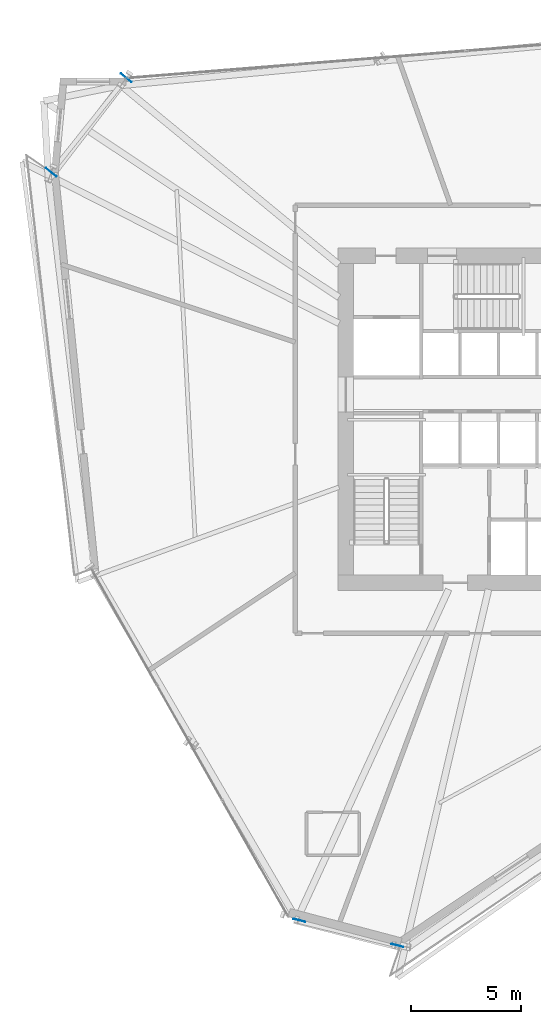
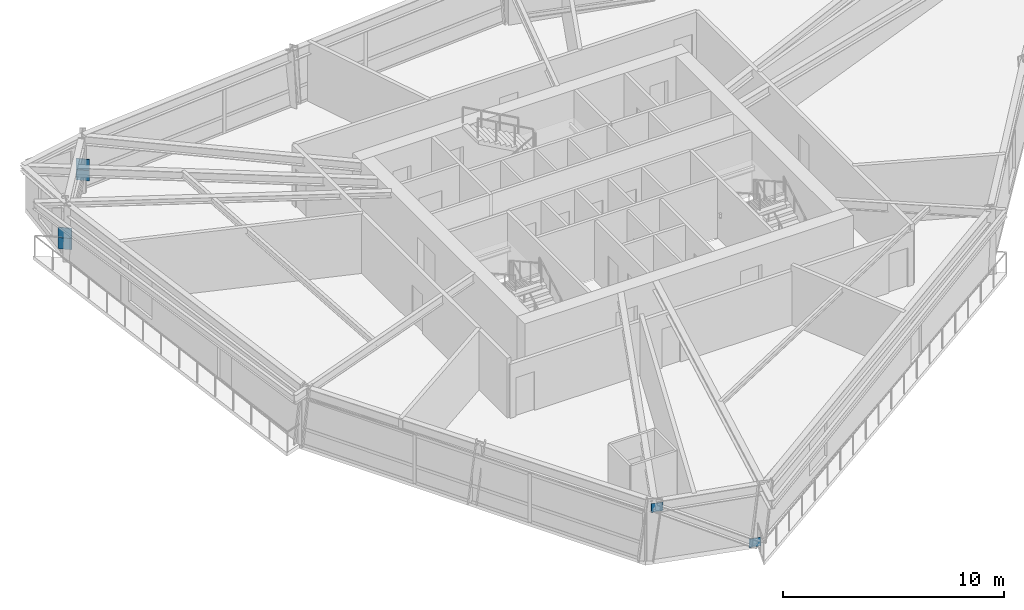
# One storey, part 10 of 18: 6 plates.
"""IFC4 building model written with IfcOpenShell, lengths in metres."""

import ifcopenshell
import ifcopenshell.guid

model = None  # the IFC model being written
_history = None  # IfcOwnerHistory: only IFC2X3 demands one
_inside = {}  # id of a spatial element -> (the spatial element, [elements in it])
_under = {}  # id of a project, library or spatial element -> (it, [spatial elements below it])
_declared = {}  # id of a project -> (the project, [libraries it declares])
_typed = {}  # id of a type object -> (the type object, [elements of that type])
_made_of = {}  # id of a material, layer set ... -> (it, [elements and type objects made of it])


def new_model(schema):
    """Start an empty IFC model of exactly this schema.

    Asked for "IFC4X3", IfcOpenShell would pick the latest addendum, in which some entities
    have other attributes; the version numbers below select the first issue.
    IFC2X3 requires an IfcOwnerHistory on every rooted entity: one is made here for all.
    """
    global model, _history
    if schema == "IFC4X3":
        model = ifcopenshell.file(schema_version=(4, 3, 0, 0))
    else:
        model = ifcopenshell.file(schema=schema)
    _inside.clear()
    _under.clear()
    _declared.clear()
    _typed.clear()
    _made_of.clear()
    _history = None
    if model.schema == "IFC2X3":
        org = make("IfcOrganization", Name="unknown")
        user = make(
            "IfcPersonAndOrganization",
            ThePerson=make("IfcPerson", FamilyName="unknown"),
            TheOrganization=org,
        )
        app = make(
            "IfcApplication",
            ApplicationDeveloper=org,
            Version="unknown",
            ApplicationFullName="unknown",
            ApplicationIdentifier="unknown",
        )
        _history = make(
            "IfcOwnerHistory",
            OwningUser=user,
            OwningApplication=app,
            ChangeAction="ADDED",
            CreationDate=0,
        )
    return model


def make(cls, **values):
    """One entity of the class cls with the attributes given. An attribute that is None is left unset."""
    return model.create_entity(
        cls, **{name: value for name, value in values.items() if value is not None}
    )


def rooted(cls, **values):
    """An entity with a GlobalId (a new one), such as an element, a storey or a relation."""
    return make(cls, GlobalId=ifcopenshell.guid.new(), OwnerHistory=_history, **values)


def si_unit(unit_type, name, prefix=None):
    """IfcSIUnit, for example si_unit("LENGTHUNIT", "METRE", prefix="MILLI")."""
    return make("IfcSIUnit", UnitType=unit_type, Prefix=prefix, Name=name)


def assignment(units):
    """IfcUnitAssignment: the units of a project."""
    return None if units is None else make("IfcUnitAssignment", Units=units)


def point(xyz):
    """IfcCartesianPoint."""
    return None if xyz is None else make("IfcCartesianPoint", Coordinates=xyz)


def direction(xyz):
    """IfcDirection."""
    return None if xyz is None else make("IfcDirection", DirectionRatios=xyz)


def frame(location, z_axis=None, x_axis=None):
    """IfcAxis2Placement3D, a coordinate frame: its origin and axes. An axis left out is left unset."""
    return make(
        "IfcAxis2Placement3D",
        Location=point(location),
        Axis=direction(z_axis),
        RefDirection=direction(x_axis),
    )


def frame_2d(location, x_axis=None):
    """IfcAxis2Placement2D, a coordinate frame in the plane: its origin and x axis."""
    return make(
        "IfcAxis2Placement2D", Location=point(location), RefDirection=direction(x_axis)
    )


def origin():
    """The frame at (0, 0, 0) with its axes left unset."""
    return frame((0.0, 0.0, 0.0))


def origin_2d():
    """The frame at (0, 0) in the plane with its x axis left unset."""
    return frame_2d((0.0, 0.0))


def place(relative_to, where):
    """IfcLocalPlacement: puts the frame where relative to a parent placement (None: the world)."""
    return make(
        "IfcLocalPlacement", PlacementRelTo=relative_to, RelativePlacement=where
    )


def context(
    kind, dimensions, precision=None, world=None, true_north=None, identifier=None
):
    """IfcGeometricRepresentationContext, for example the 3D "Model" context."""
    return make(
        "IfcGeometricRepresentationContext",
        ContextIdentifier=identifier,
        ContextType=kind,
        CoordinateSpaceDimension=dimensions,
        Precision=precision,
        WorldCoordinateSystem=world,
        TrueNorth=true_north,
    )


def subcontext(parent, identifier, kind, view, scale=None):
    """IfcGeometricRepresentationSubContext, for example "Body" below "Model"."""
    return make(
        "IfcGeometricRepresentationSubContext",
        ContextIdentifier=identifier,
        ContextType=kind,
        ParentContext=parent,
        TargetScale=scale,
        TargetView=view,
    )


def project(units=None, contexts=None):
    """IfcProject with its units and contexts."""
    return rooted(
        "IfcProject",
        Name="project",
        RepresentationContexts=contexts,
        UnitsInContext=assignment(units),
    )


def spatial(cls, under=None, at=None, **own):
    """A site, building, storey or space (cls), placed at a placement, below another one or the project."""
    s = rooted(cls, ObjectPlacement=at, **own)
    if under is not None:
        _under.setdefault(under.id(), (under, []))[1].append(s)
    return s


def profile(cls, at=None, kind="AREA", **sizes):
    """A parametric profile (cls). Its sizes go by their IFC names, for example OverallWidth=200.0."""
    return make(cls, ProfileType=kind, Position=at, **sizes)


def rectangle(**sizes):
    """IfcRectangleProfileDef."""
    return profile("IfcRectangleProfileDef", **sizes)


def extrude(swept, where, along, depth):
    """IfcExtrudedAreaSolid: the profile swept, set in the frame where, extruded along a direction by depth."""
    return make(
        "IfcExtrudedAreaSolid",
        SweptArea=swept,
        Position=where,
        ExtrudedDirection=direction(along),
        Depth=depth,
    )


def shape(context_of_items, identifier, shape_type, items):
    """IfcShapeRepresentation: the items that make up one representation, for example the "Body"."""
    return make(
        "IfcShapeRepresentation",
        ContextOfItems=context_of_items,
        RepresentationIdentifier=identifier,
        RepresentationType=shape_type,
        Items=items,
    )


def source(mapping_origin, context_of_items, identifier, shape_type, items):
    """IfcRepresentationMap: a shape defined once, which mapped items show again and again."""
    return make(
        "IfcRepresentationMap",
        MappingOrigin=mapping_origin,
        MappedRepresentation=shape(context_of_items, identifier, shape_type, items),
    )


def transform(
    local_origin,
    x_axis=None,
    y_axis=None,
    z_axis=None,
    scale=None,
    scale2=None,
    scale3=None,
    uniform=True,
):
    """IfcCartesianTransformationOperator3D, or its non-uniform kind. x_axis, y_axis, z_axis: its Axis1, 2, 3."""
    if uniform:
        return make(
            "IfcCartesianTransformationOperator3D",
            Axis1=direction(x_axis),
            Axis2=direction(y_axis),
            LocalOrigin=point(local_origin),
            Scale=scale,
            Axis3=direction(z_axis),
        )
    return make(
        "IfcCartesianTransformationOperator3DnonUniform",
        Axis1=direction(x_axis),
        Axis2=direction(y_axis),
        LocalOrigin=point(local_origin),
        Scale=scale,
        Axis3=direction(z_axis),
        Scale2=scale2,
        Scale3=scale3,
    )


def mapped(mapping_source, mapping_target):
    """IfcMappedItem: shows the shape of a source again, moved by a transform."""
    return make(
        "IfcMappedItem", MappingSource=mapping_source, MappingTarget=mapping_target
    )


def material(Name=None, Category=None):
    """IfcMaterial."""
    return make("IfcMaterial", Name=Name, Category=Category)


def made_of(thing, what):
    """Note that an element or type object is made of a material, layer set ...; save() writes the relation."""
    if what is not None:
        _made_of.setdefault(what.id(), (what, []))[1].append(thing)
    return thing


def type_object(cls, material=None, **own):
    """A type object (cls), such as IfcWallType, which elements share."""
    return made_of(rooted(cls, **own), material)


def element(
    cls,
    number,
    at=None,
    inside=None,
    cuts=None,
    type_object=None,
    material=None,
    context=None,
    identifier="Body",
    shape_type=None,
    held_by="IfcProductDefinitionShape",
    body=None,
    shapes=None,
    **own,
):
    """One element of the class cls, such as IfcWall. Its Tag is "e" and its number.

    at: its placement. inside: the storey or other place that contains it. cuts: it is an
    opening in that element (IfcRelVoidsElement). A single representation is given by context,
    identifier, shape_type and body (its items); several are given by shapes. held_by: the class
    of the entity that holds the representations. save() writes the other relations.
    """
    e = rooted(cls, Tag="e%d" % number, ObjectPlacement=at, **own)
    if body is not None:
        shapes = [shape(context, identifier, shape_type, body)]
    if shapes is not None:
        e.Representation = make(held_by, Representations=shapes)
    if inside is not None:
        _inside.setdefault(inside.id(), (inside, []))[1].append(e)
    if cuts is not None:
        rooted(
            "IfcRelVoidsElement", RelatingBuildingElement=cuts, RelatedOpeningElement=e
        )
    if type_object is not None:
        _typed.setdefault(type_object.id(), (type_object, []))[1].append(e)
    return made_of(e, material)


def aggregate(whole, parts):
    """IfcRelAggregates: a whole, such as a stair, and the parts it consists of."""
    return rooted("IfcRelAggregates", RelatingObject=whole, RelatedObjects=parts)


def save(model, path):
    """Write the relations noted so far, then the file.

    IfcRelAggregates (storeys below a building ...), IfcRelContainedInSpatialStructure (elements
    in a storey), IfcRelDefinesByType, IfcRelAssociatesMaterial and IfcRelDeclares: one each for
    every whole, place, type object, material and project.
    """
    for whole, parts in _under.values():
        aggregate(whole, parts)
    for where, things in _inside.values():
        rooted(
            "IfcRelContainedInSpatialStructure",
            RelatedElements=things,
            RelatingStructure=where,
        )
    for kind, things in _typed.values():
        rooted("IfcRelDefinesByType", RelatedObjects=things, RelatingType=kind)
    for what, things in _made_of.values():
        rooted("IfcRelAssociatesMaterial", RelatedObjects=things, RelatingMaterial=what)
    for by, libraries in _declared.values():
        rooted("IfcRelDeclares", RelatingContext=by, RelatedDefinitions=libraries)
    model.write(path)


model = new_model("IFC4")

# Units and contexts
model_context = context("Model", 3, precision=1e-05, world=origin(), true_north=direction((0.0, 1.0)))
body_context = subcontext(model_context, "Body", "Model", "MODEL_VIEW")
ifc_project = project(units=[si_unit("LENGTHUNIT", "METRE"), si_unit("AREAUNIT", "SQUARE_METRE"), si_unit("VOLUMEUNIT", "CUBIC_METRE"), si_unit("PLANEANGLEUNIT", "RADIAN"), si_unit("MASSUNIT", "GRAM", prefix="KILO")], contexts=[model_context])

# Site, building, storey
site_placement = place(None, origin())
site = spatial("IfcSite", under=ifc_project, at=site_placement, CompositionType="ELEMENT")
building_placement = place(site_placement, origin())
building = spatial("IfcBuilding", under=site, at=building_placement, Name="Olszyna Solenne Hotel", CompositionType="ELEMENT")
storey_placement = place(building_placement, frame((0.0, 0.0, 112.800048828125)))
storey = spatial("IfcBuildingStorey", under=building, at=storey_placement, Name="L29", CompositionType="ELEMENT", Elevation=112.800048828125)

# Plates
ifc_material_1 = material(Name="Steel S460M", Category="steel")
plate_type_1 = type_object("IfcPlateType", Name="GP-CAP2", PredefinedType="USERDEFINED", material=ifc_material_1)
shared_shape_1 = source(origin(), body_context, "Body", "SweptSolid", [
    extrude(rectangle(XDim=0.030029296875, YDim=0.6201171875, at=origin_2d()), origin(), (0.0, 0.0, 1.0), 0.6201171875),
])
for number, where, z_axis, x_axis, name in (
    (1, (19.754150390625, 42.14111328125, 1.039794921875), (0.0, 0.0, 1.0), (-0.622514636638, -0.782608156852, 0.0), "Hollow section end-cap plate GP-CAP2 CP-PR-M-L29-PR1-1"),
    (2, (16.334716796875, 37.841796875, 1.039794921875), (0.0, 0.0, 1.0), (-0.622514636638, -0.782608156852, 0.0), "Hollow section end-cap plate GP-CAP2 CP-PR-M-L29-PR1-2"),
    (3, (19.754150390625, 42.14111328125, 0.469970703125), (0.0, 0.0, 1.0), (-0.622514636638, -0.782608156852, 0.0), "Hollow section end-cap plate GP-CAP2 CP-PR-M-L29-PR2-1"),
    (4, (16.334716796875, 37.841796875, 0.469970703125), (0.0, 0.0, 1.0), (-0.622514636638, -0.782608156852, 0.0), "Hollow section end-cap plate GP-CAP2 CP-PR-M-L29-PR2-2"),
):
    element("IfcPlate", number, at=place(storey_placement, frame(where, z_axis=z_axis, x_axis=x_axis)), inside=storey, type_object=plate_type_1, Name=name, ObjectType="GUSSET_PLATE", PredefinedType="USERDEFINED", context=body_context, shape_type="MappedRepresentation", body=[
        mapped(shared_shape_1, transform((0.0, 0.0, 0.0), x_axis=(1.0, 0.0, 0.0), y_axis=(0.0, 1.0, 0.0), z_axis=(0.0, 0.0, 1.0), scale=1.0)),
    ])
ifc_material_2 = material(Name="Steel S355J2", Category="steel")
plate_type_2 = type_object("IfcPlateType", Name="GP-ND2", PredefinedType="USERDEFINED", material=ifc_material_2)
shared_shape_2 = source(origin(), body_context, "Body", "SweptSolid", [
    extrude(rectangle(XDim=0.56005859375, YDim=0.02001953125, at=origin_2d()), origin(), (0.0, 0.0, 1.0), 0.47998046875),
])
for number, where, z_axis, x_axis, name in (
    (5, (32.106689453125, 2.62939453125, -0.156982421875), (0.0, 0.0, 1.0), (-0.968756543371, 0.248013628006, 0.0), "Brace end connection gusset plate GP-ND2 EP-BR-L29-3-1"),
    (6, (27.645263671875, 3.771240234375, 2.656982421875), (0.0, 0.0, 1.0), (-0.968756543371, 0.248013628006, 0.0), "Brace end connection gusset plate GP-ND2 EP-BR-L29-3-2"),
):
    element("IfcPlate", number, at=place(storey_placement, frame(where, z_axis=z_axis, x_axis=x_axis)), inside=storey, type_object=plate_type_2, Name=name, ObjectType="GUSSET_PLATE", PredefinedType="USERDEFINED", context=body_context, shape_type="MappedRepresentation", body=[
        mapped(shared_shape_2, transform((0.0, 0.0, 0.0), x_axis=(1.0, 0.0, 0.0), y_axis=(0.0, 1.0, 0.0), z_axis=(0.0, 0.0, 1.0), scale=1.0)),
    ])

save(model, "model.ifc")
